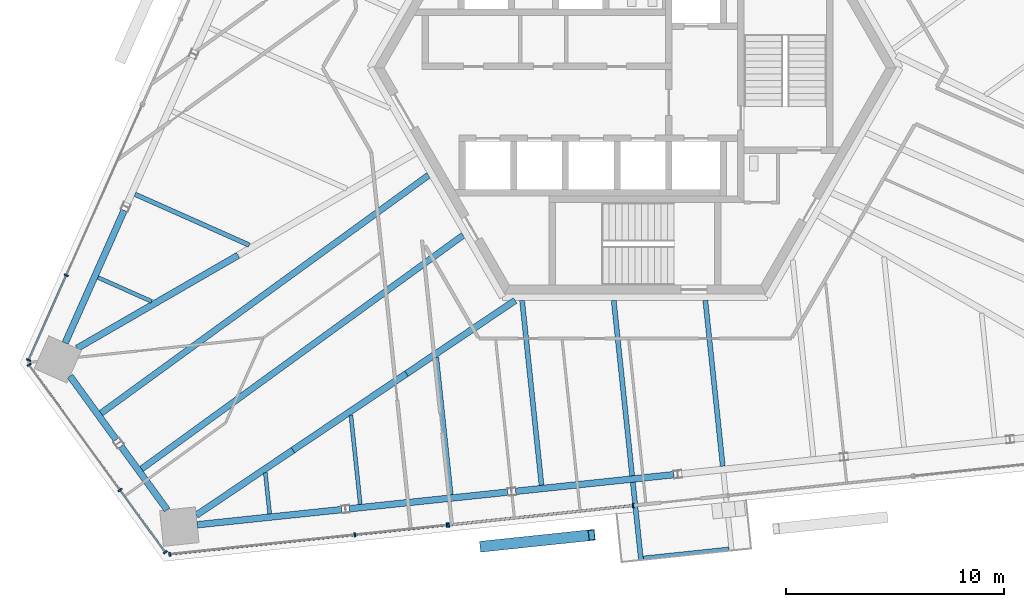
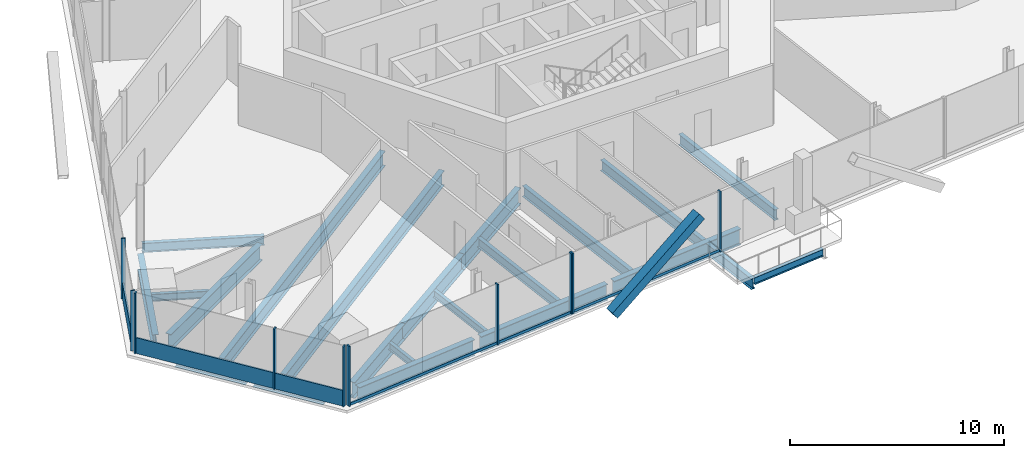
# One storey, part 4 of 18: 22 beams, 17 members, 4 elements without a shape of their own.
"""IFC4 building model written with IfcOpenShell, lengths in metres."""

from ifc_helpers import new_model, si_unit, direction, frame, origin, origin_2d, place, context, subcontext, project, spatial, rectangle, hollow_rectangle, i_section, extrude, source, transform, mapped, material, material_profile, profile_set, type_object, element, aggregate, save


model = new_model("IFC4")

# Units and contexts
model_context = context("Model", 3, precision=1e-05, world=origin(), true_north=direction((0.0, 1.0)))
body_context = subcontext(model_context, "Body", "Model", "MODEL_VIEW")
ifc_project = project(units=[si_unit("LENGTHUNIT", "METRE"), si_unit("AREAUNIT", "SQUARE_METRE"), si_unit("VOLUMEUNIT", "CUBIC_METRE"), si_unit("PLANEANGLEUNIT", "RADIAN"), si_unit("MASSUNIT", "GRAM", prefix="KILO")], contexts=[model_context])

# Site, building, storey
site_placement = place(None, origin())
site = spatial("IfcSite", under=ifc_project, at=site_placement, CompositionType="ELEMENT")
building_placement = place(site_placement, origin())
building = spatial("IfcBuilding", under=site, at=building_placement, Name="Triune Harvest Tower", CompositionType="ELEMENT")
storey_placement = place(building_placement, frame((0.0, 0.0, 230.5)))
storey = spatial("IfcBuildingStorey", under=building, at=storey_placement, Name="L60", CompositionType="ELEMENT", Elevation=230.5)

# Beams
ifc_material_1 = material(Name="Steel ASTM A992 Gr 50", Category="steel")
ifc_material_profile_1 = material_profile(ifc_material_1, i_section(OverallWidth=0.3046875, OverallDepth=0.914306640625, WebThickness=0.0166015625, FlangeThickness=0.02587890625, at=origin_2d()), Name="W36x160")
ifc_profile_set_1 = profile_set([ifc_material_profile_1], Name="Steel ASTM A992 Gr 50")
beam_type_1 = type_object("IfcBeamType", Name="HG-3 Hip girder W36x160", PredefinedType="BEAM", material=ifc_profile_set_1)
shared_shape_1 = source(origin(), body_context, "Body", "SweptSolid", [
    extrude(i_section(OverallWidth=0.3046875, OverallDepth=0.914306640625, WebThickness=0.0166015625, FlangeThickness=0.02587890625, at=origin_2d()), origin(), (0.0, 0.0, 1.0), 6.293701171875),
])
beam_1_placement = place(storey_placement, frame((-15.72802734375, -17.576904296875, -0.6171875), z_axis=(0.829391075311, 0.558668456416, 0.0), x_axis=(-0.558668456416, 0.829391075311, 0.0)))
element("IfcBeam", 1, at=beam_1_placement, inside=storey, type_object=beam_type_1, Name="beam/L60/HG8", PredefinedType="BEAM", context=body_context, shape_type="MappedRepresentation", body=[
    mapped(shared_shape_1, transform((0.0, 0.0, 0.0), scale=1.0)),
])
shared_shape_2 = source(origin(), body_context, "Body", "SweptSolid", [
    extrude(i_section(OverallWidth=0.3046875, OverallDepth=0.914306640625, WebThickness=0.0166015625, FlangeThickness=0.02587890625, at=origin_2d()), origin(), (0.0, 0.0, 1.0), 6.02099609375),
])
beam_2_placement = place(storey_placement, frame((-10.508056640625, -14.060791015625, -0.6171875), z_axis=(0.829383245618, 0.558680080088, 0.0), x_axis=(-0.558680080088, 0.829383245618, 0.0)))
element("IfcBeam", 2, at=beam_2_placement, inside=storey, type_object=beam_type_1, Name="beam/L60/HG9", PredefinedType="BEAM", context=body_context, shape_type="MappedRepresentation", body=[
    mapped(shared_shape_2, transform((0.0, 0.0, 0.0), scale=1.0)),
])
ifc_material_2 = material(Name="Steel ASTM A992 Gr 50", Category="steel")
ifc_material_profile_2 = material_profile(ifc_material_2, i_section(OverallWidth=0.3046875, OverallDepth=0.914306640625, WebThickness=0.0166015625, FlangeThickness=0.02587890625, at=origin_2d()), Name="W36x160")
ifc_profile_set_2 = profile_set([ifc_material_profile_2], Name="Steel ASTM A992 Gr 50")
beam_type_2 = type_object("IfcBeamType", Name="SB-1 Spandrel beam W36x160", PredefinedType="SPANDREL", material=ifc_profile_set_2)
shared_shape_3 = source(origin(), body_context, "Body", "SweptSolid", [
    extrude(i_section(OverallWidth=0.3046875, OverallDepth=0.914306640625, WebThickness=0.0166015625, FlangeThickness=0.02587890625, at=origin_2d()), origin(), (0.0, 0.0, 1.0), 6.67041015625),
])
beam_3_placement = place(storey_placement, frame((-20.127685546875, -21.007080078125, -0.6171875), z_axis=(0.994521485501, 0.104532362822, 0.0), x_axis=(-0.104532362822, 0.994521485501, 0.0)))
element("IfcBeam", 3, at=beam_3_placement, inside=storey, type_object=beam_type_2, Name="beam/L60/SB17", PredefinedType="SPANDREL", context=body_context, shape_type="MappedRepresentation", body=[
    mapped(shared_shape_3, transform((0.0, 0.0, 0.0), scale=1.0)),
])
shared_shape_4 = source(origin(), body_context, "Body", "SweptSolid", [
    extrude(i_section(OverallWidth=0.3046875, OverallDepth=0.914306640625, WebThickness=0.0166015625, FlangeThickness=0.02587890625, at=origin_2d()), origin(), (0.0, 0.0, 1.0), 7.31103515625),
])
beam_4_placement = place(storey_placement, frame((-13.127685546875, -20.271240234375, -0.6171875), z_axis=(0.994522639393, 0.104521384101, 0.0), x_axis=(-0.104521384101, 0.994522639393, 0.0)))
element("IfcBeam", 4, at=beam_4_placement, inside=storey, type_object=beam_type_2, Name="beam/L60/SB18", PredefinedType="SPANDREL", context=body_context, shape_type="MappedRepresentation", body=[
    mapped(shared_shape_4, transform((0.0, 0.0, 0.0), scale=1.0)),
])
shared_shape_5 = source(origin(), body_context, "Body", "SweptSolid", [
    extrude(i_section(OverallWidth=0.3046875, OverallDepth=0.914306640625, WebThickness=0.0166015625, FlangeThickness=0.02587890625, at=origin_2d()), origin(), (0.0, 0.0, 1.0), 3.614990234375),
])
for number, where, z_axis, x_axis, name in (
    (5, (-25.974365234375, -14.175537109375, -0.6171875), (0.587818273033, -0.808993002373, 0.0), (0.808993002373, 0.587818273033, 0.0), "beam/L60/SB15"),
    (6, (-23.633056640625, -17.39794921875, -0.6171875), (0.587818273033, -0.808993002373, 0.0), (0.808993002373, 0.587818273033, 0.0), "beam/L60/SB16"),
):
    element("IfcBeam", number, at=place(storey_placement, frame(where, z_axis=z_axis, x_axis=x_axis)), inside=storey, type_object=beam_type_2, Name=name, PredefinedType="SPANDREL", context=body_context, shape_type="MappedRepresentation", body=[
        mapped(shared_shape_5, transform((0.0, 0.0, 0.0), scale=1.0)),
    ])
shared_shape_6 = source(origin(), body_context, "Body", "SweptSolid", [
    extrude(i_section(OverallWidth=0.3046875, OverallDepth=0.914306640625, WebThickness=0.0166015625, FlangeThickness=0.02587890625, at=origin_2d()), origin(), (0.0, 0.0, 1.0), 6.670166015625),
])
beam_5_placement = place(storey_placement, frame((-23.485595703125, -6.5576171875, -0.6171875), z_axis=(-0.406722507275, -0.913551751176, 0.0), x_axis=(0.913551751176, -0.406722507275, 0.0)))
element("IfcBeam", 7, at=beam_5_placement, inside=storey, type_object=beam_type_2, Name="beam/L60/SB14", PredefinedType="SPANDREL", context=body_context, shape_type="MappedRepresentation", body=[
    mapped(shared_shape_6, transform((0.0, 0.0, 0.0), scale=1.0)),
])
shared_shape_7 = source(origin(), body_context, "Body", "SweptSolid", [
    extrude(i_section(OverallWidth=0.3046875, OverallDepth=0.914306640625, WebThickness=0.0166015625, FlangeThickness=0.02587890625, at=origin_2d()), origin(), (0.0, 0.0, 1.0), 7.311279296875),
])
beam_6_placement = place(storey_placement, frame((-5.490478515625, -19.468505859375, -0.6171875), z_axis=(0.994519532674, 0.104550940362, 0.0), x_axis=(-0.104550940362, 0.994519532674, 0.0)))
element("IfcBeam", 8, at=beam_6_placement, inside=storey, type_object=beam_type_2, Name="beam/L60/SB19", PredefinedType="SPANDREL", context=body_context, shape_type="MappedRepresentation", body=[
    mapped(shared_shape_7, transform((0.0, 0.0, 0.0), scale=1.0)),
])
shared_shape_8 = source(origin(), body_context, "Body", "SweptSolid", [
    extrude(i_section(OverallWidth=0.3046875, OverallDepth=0.914306640625, WebThickness=0.0166015625, FlangeThickness=0.02587890625, at=origin_2d()), origin(), (0.0, 0.0, 1.0), 8.548583984375),
])
beam_7_placement = place(storey_placement, frame((-25.651123046875, -12.89501953125, -0.6171875), z_axis=(0.866020080793, 0.500009219579, 0.0), x_axis=(-0.500009219579, 0.866020080793, 0.0)))
element("IfcBeam", 9, at=beam_7_placement, inside=storey, type_object=beam_type_1, Name="beam/L60/HG5", PredefinedType="BEAM", context=body_context, shape_type="MappedRepresentation", body=[
    mapped(shared_shape_8, transform((0.0, 0.0, 0.0), scale=1.0)),
])
shared_shape_9 = source(origin(), body_context, "Body", "SweptSolid", [
    extrude(i_section(OverallWidth=0.3046875, OverallDepth=0.914306640625, WebThickness=0.0166015625, FlangeThickness=0.02587890625, at=origin_2d()), origin(), (0.0, 0.0, 1.0), 5.35986328125),
])
beam_8_placement = place(storey_placement, frame((-20.173583984375, -20.5712890625, -0.6171875), z_axis=(0.829399024376, 0.558656655169, 0.0), x_axis=(-0.558656655169, 0.829399024376, 0.0)))
element("IfcBeam", 10, at=beam_8_placement, inside=storey, type_object=beam_type_1, Name="beam/L60/HG7", PredefinedType="BEAM", context=body_context, shape_type="MappedRepresentation", body=[
    mapped(shared_shape_9, transform((0.0, 0.0, 0.0), scale=1.0)),
])
ifc_material_3 = material(Name="Steel ASTM A992 Gr 50", Category="steel")
ifc_material_profile_3 = material_profile(ifc_material_3, i_section(OverallWidth=0.2099609375, OverallDepth=0.535888671875, WebThickness=0.010986328125, FlangeThickness=0.017333984375, at=origin_2d()), Name="W21x68")
ifc_profile_set_3 = profile_set([ifc_material_profile_3], Name="Steel ASTM A992 Gr 50")
beam_type_3 = type_object("IfcBeamType", Name="JT-2 Floor joist W21x68", PredefinedType="JOIST", material=ifc_profile_set_3)
shared_shape_10 = source(origin(), body_context, "Body", "SweptSolid", [
    extrude(i_section(OverallWidth=0.2099609375, OverallDepth=0.535888671875, WebThickness=0.010986328125, FlangeThickness=0.017333984375, at=origin_2d()), origin(), (0.0, 0.0, 1.0), 6.346435546875),
])
beam_9_placement = place(storey_placement, frame((-8.466552734375, -19.628173828125, -0.427978515625), z_axis=(-0.104518578592, 0.99452293424, 0.0), x_axis=(-0.99452293424, -0.104518578592, 0.0)))
element("IfcBeam", 11, at=beam_9_placement, inside=storey, type_object=beam_type_3, Name="beam/L60/JT27", PredefinedType="JOIST", context=body_context, shape_type="MappedRepresentation", body=[
    mapped(shared_shape_10, transform((0.0, 0.0, 0.0), scale=1.0)),
])
ifc_material_4 = material(Name="Steel ASTM A992 Gr 50", Category="steel")
ifc_material_profile_4 = material_profile(ifc_material_4, i_section(OverallWidth=0.22900390625, OverallDepth=0.612060546875, WebThickness=0.011962890625, FlangeThickness=0.01953125, at=origin_2d()), Name="W24x84")
ifc_profile_set_4 = profile_set([ifc_material_profile_4], Name="Steel ASTM A992 Gr 50")
beam_type_4 = type_object("IfcBeamType", Name="JT-3 Floor joist W24x84", PredefinedType="JOIST", material=ifc_profile_set_4)
shared_shape_11 = source(origin(), body_context, "Body", "SweptSolid", [
    extrude(i_section(OverallWidth=0.22900390625, OverallDepth=0.612060546875, WebThickness=0.011962890625, FlangeThickness=0.01953125, at=origin_2d()), origin(), (0.0, 0.0, 1.0), 8.099609375),
])
beam_10_placement = place(storey_placement, frame((-0.135009765625, -18.752197265625, -0.466064453125), z_axis=(-0.104534153452, 0.994521297289, 0.0), x_axis=(-0.994521297289, -0.104534153452, 0.0)))
element("IfcBeam", 12, at=beam_10_placement, inside=storey, type_object=beam_type_4, Name="beam/L60/JT29", PredefinedType="JOIST", context=body_context, shape_type="MappedRepresentation", body=[
    mapped(shared_shape_11, transform((0.0, 0.0, 0.0), scale=1.0)),
])
shared_shape_12 = source(origin(), body_context, "Body", "SweptSolid", [
    extrude(i_section(OverallWidth=0.22900390625, OverallDepth=0.612060546875, WebThickness=0.011962890625, FlangeThickness=0.01953125, at=origin_2d()), origin(), (0.0, 0.0, 1.0), 7.659423828125),
])
beam_11_placement = place(storey_placement, frame((4.031005859375, -18.314453125, -0.466064453125), z_axis=(-0.104548726976, 0.994519765358, 0.0), x_axis=(-0.994519765358, -0.104548726976, 0.0)))
element("IfcBeam", 13, at=beam_11_placement, inside=storey, type_object=beam_type_4, Name="beam/L60/JT30", PredefinedType="JOIST", context=body_context, shape_type="MappedRepresentation", body=[
    mapped(shared_shape_12, transform((0.0, 0.0, 0.0), scale=1.0)),
])
shared_shape_13 = source(origin(), body_context, "Body", "SweptSolid", [
    extrude(i_section(OverallWidth=0.2099609375, OverallDepth=0.535888671875, WebThickness=0.010986328125, FlangeThickness=0.017333984375, at=origin_2d()), origin(), (0.0, 0.0, 1.0), 5.745849609375),
])
beam_12_placement = place(storey_placement, frame((-22.987548828125, -5.8134765625, -0.427978515625), z_axis=(0.913552037091, -0.406721865071, 0.0), x_axis=(0.406721865071, 0.913552037091, 0.0)))
element("IfcBeam", 14, at=beam_12_placement, inside=storey, type_object=beam_type_3, Name="beam/L60/JT21", PredefinedType="JOIST", context=body_context, shape_type="MappedRepresentation", body=[
    mapped(shared_shape_13, transform((0.0, 0.0, 0.0), scale=1.0)),
])
ifc_material_5 = material(Name="Steel ASTM A992 Gr 50", Category="steel")
ifc_material_profile_5 = material_profile(ifc_material_5, i_section(OverallWidth=0.2919921875, OverallDepth=0.8408203125, WebThickness=0.0146484375, FlangeThickness=0.021728515625, at=origin_2d()), Name="W33x130")
ifc_profile_set_5 = profile_set([ifc_material_profile_5], Name="Steel ASTM A992 Gr 50")
beam_type_5 = type_object("IfcBeamType", Name="JT-6 Floor joist W33x130", PredefinedType="JOIST", material=ifc_profile_set_5)
shared_shape_14 = source(origin(), body_context, "Body", "SweptSolid", [
    extrude(i_section(OverallWidth=0.2919921875, OverallDepth=0.8408203125, WebThickness=0.0146484375, FlangeThickness=0.021728515625, at=origin_2d()), origin(), (0.0, 0.0, 1.0), 18.27099609375),
])
beam_13_placement = place(storey_placement, frame((-22.68701171875, -18.44091796875, -0.580322265625), z_axis=(0.809013927609, 0.587789473311, 0.0), x_axis=(-0.587789473311, 0.809013927609, 0.0)))
element("IfcBeam", 15, at=beam_13_placement, inside=storey, type_object=beam_type_5, Name="beam/L60/JT24", PredefinedType="JOIST", context=body_context, shape_type="MappedRepresentation", body=[
    mapped(shared_shape_14, transform((0.0, 0.0, 0.0), scale=1.0)),
])
ifc_material_6 = material(Name="Steel ASTM A992 Gr 50", Category="steel")
ifc_material_profile_6 = material_profile(ifc_material_6, i_section(OverallWidth=0.180908203125, OverallDepth=0.41650390625, WebThickness=0.010986328125, FlangeThickness=0.01806640625, at=origin_2d()), Name="W16x57")
ifc_profile_set_6 = profile_set([ifc_material_profile_6], Name="Steel ASTM A992 Gr 50")
beam_type_6 = type_object("IfcBeamType", Name="JT-1 Floor joist W16x57", PredefinedType="JOIST", material=ifc_profile_set_6)
shared_shape_15 = source(origin(), body_context, "Body", "SweptSolid", [
    extrude(i_section(OverallWidth=0.180908203125, OverallDepth=0.41650390625, WebThickness=0.010986328125, FlangeThickness=0.01806640625, at=origin_2d()), origin(), (0.0, 0.0, 1.0), 1.899169921875),
])
beam_14_placement = place(storey_placement, frame((-16.79833984375, -20.50390625, -0.368408203125), z_axis=(-0.104517481806, 0.994523049505, 0.0), x_axis=(-0.994523049505, -0.104517481806, 0.0)))
element("IfcBeam", 16, at=beam_14_placement, inside=storey, type_object=beam_type_6, Name="beam/L60/JT25", PredefinedType="JOIST", context=body_context, shape_type="MappedRepresentation", body=[
    mapped(shared_shape_15, transform((0.0, 0.0, 0.0), scale=1.0)),
])
shared_shape_16 = source(origin(), body_context, "Body", "SweptSolid", [
    extrude(i_section(OverallWidth=0.180908203125, OverallDepth=0.41650390625, WebThickness=0.010986328125, FlangeThickness=0.01806640625, at=origin_2d()), origin(), (0.0, 0.0, 1.0), 4.12255859375),
])
beam_15_placement = place(storey_placement, frame((-12.632568359375, -20.06591796875, -0.368408203125), z_axis=(-0.104521403768, 0.994522637326, 0.0), x_axis=(-0.994522637326, -0.104521403768, 0.0)))
element("IfcBeam", 17, at=beam_15_placement, inside=storey, type_object=beam_type_6, Name="beam/L60/JT26", PredefinedType="JOIST", context=body_context, shape_type="MappedRepresentation", body=[
    mapped(shared_shape_16, transform((0.0, 0.0, 0.0), scale=1.0)),
])
shared_shape_17 = source(origin(), body_context, "Body", "SweptSolid", [
    extrude(i_section(OverallWidth=0.180908203125, OverallDepth=0.41650390625, WebThickness=0.010986328125, FlangeThickness=0.01806640625, at=origin_2d()), origin(), (0.0, 0.0, 1.0), 2.702392578125),
])
beam_16_placement = place(storey_placement, frame((-24.691162109375, -9.64013671875, -0.368408203125), z_axis=(0.913550575703, -0.406725147529, 0.0), x_axis=(0.406725147529, 0.913550575703, 0.0)))
element("IfcBeam", 18, at=beam_16_placement, inside=storey, type_object=beam_type_6, Name="beam/L60/JT22", PredefinedType="JOIST", context=body_context, shape_type="MappedRepresentation", body=[
    mapped(shared_shape_17, transform((0.0, 0.0, 0.0), scale=1.0)),
])
shared_shape_18 = source(origin(), body_context, "Body", "SweptSolid", [
    extrude(i_section(OverallWidth=0.2919921875, OverallDepth=0.8408203125, WebThickness=0.0146484375, FlangeThickness=0.021728515625, at=origin_2d()), origin(), (0.0, 0.0, 1.0), 18.603515625),
])
beam_17_placement = place(storey_placement, frame((-24.548828125, -15.8779296875, -0.580322265625), z_axis=(0.809011797406, 0.58779240524, 0.0), x_axis=(-0.58779240524, 0.809011797406, 0.0)))
element("IfcBeam", 19, at=beam_17_placement, inside=storey, type_object=beam_type_5, Name="beam/L60/JT23", PredefinedType="JOIST", context=body_context, shape_type="MappedRepresentation", body=[
    mapped(shared_shape_18, transform((0.0, 0.0, 0.0), scale=1.0)),
])
shared_shape_19 = source(origin(), body_context, "Body", "SweptSolid", [
    extrude(i_section(OverallWidth=0.22900390625, OverallDepth=0.612060546875, WebThickness=0.011962890625, FlangeThickness=0.01953125, at=origin_2d()), origin(), (0.0, 0.0, 1.0), 8.5400390625),
])
beam_18_placement = place(storey_placement, frame((-4.30078125, -19.190185546875, -0.466064453125), z_axis=(-0.104546386162, 0.994520011433, 0.0), x_axis=(-0.994520011433, -0.104546386162, 0.0)))
element("IfcBeam", 20, at=beam_18_placement, inside=storey, type_object=beam_type_4, Name="beam/L60/JT28", PredefinedType="JOIST", context=body_context, shape_type="MappedRepresentation", body=[
    mapped(shared_shape_19, transform((0.0, 0.0, 0.0), scale=1.0)),
])

# Member
ifc_material_7 = material(Name="Steel ASTM A572 Gr 50", Category="steel")
ifc_material_profile_7 = material_profile(ifc_material_7, hollow_rectangle(XDim=0.5, YDim=0.5, WallThickness=0.030029296875, at=origin_2d()), Name="Box 500x500x30")
ifc_profile_set_7 = profile_set([ifc_material_profile_7], Name="Steel ASTM A572 Gr 50")
member_type_1 = type_object("IfcMemberType", Name="BR-3 Brace Box 500x500x30", PredefinedType="BRACE", material=ifc_profile_set_7)
shared_shape_20 = source(origin(), body_context, "Body", "SweptSolid", [
    extrude(hollow_rectangle(XDim=0.5, YDim=0.5, WallThickness=0.030029296875, at=origin_2d()), origin(), (0.0, 0.0, 1.0), 6.1708984375),
])
member_1_placement = place(storey_placement, frame((-6.979736328125, -22.003662109375, 0.0), z_axis=(0.807731140993, 0.084903557434, 0.583405339199), x_axis=(-0.104537710696, 0.994520923381, 0.0)))
element("IfcMember", 21, at=member_1_placement, inside=storey, type_object=member_type_1, Name="brace/B6-F5/d1/4", PredefinedType="BRACE", context=body_context, shape_type="MappedRepresentation", body=[
    mapped(shared_shape_20, transform((0.0, 0.0, 0.0), scale=1.0)),
])

# Curtain wall, members
ifc_material_8 = material(Name="Aluminium bronze anodised", Category="aluminium")
curtain_wall_type_1 = type_object("IfcCurtainWallType", Name="CW-1 Tower stick curtain wall", PredefinedType="NOTDEFINED", material=ifc_material_8)
curtain_wall_1_placement = place(storey_placement, origin())
curtain_wall_1 = element("IfcCurtainWall", 22, at=curtain_wall_1_placement, inside=storey, type_object=curtain_wall_type_1, Name="CW-1 B6-F3 L60 run 2001")
ifc_material_9 = material(Name="Aluminium bronze anodised", Category="aluminium")
ifc_material_profile_8 = material_profile(ifc_material_9, rectangle(XDim=0.199951171875, YDim=0.074951171875, at=origin_2d()), Name="MU-1 mullion 75 x 200")
ifc_profile_set_8 = profile_set([ifc_material_profile_8], Name="Aluminium bronze anodised")
member_type_2 = type_object("IfcMemberType", Name="MU-1 mullion 75 x 200", PredefinedType="MULLION", material=ifc_profile_set_8)
shared_shape_21 = source(origin(), body_context, "Body", "SweptSolid", [
    extrude(rectangle(XDim=0.199951171875, YDim=0.074951171875, at=origin_2d()), origin(), (0.0, 0.0, 1.0), 3.43994140625),
])
member_2_placement = place(storey_placement, frame((-26.14453125, -9.541015625, 0.0), z_axis=(0.0, 0.0, 1.0), x_axis=(0.913546291384, -0.406734770456, 0.0)))
member_2 = element("IfcMember", 23, at=member_2_placement, type_object=member_type_2, Name="CW-1 mullion B6-F3 2001.3", PredefinedType="MULLION", context=body_context, shape_type="MappedRepresentation", body=[
    mapped(shared_shape_21, transform((0.0, 0.0, 0.0), scale=1.0)),
])
member_3_placement = place(storey_placement, frame((-27.878173828125, -13.43505859375, 0.0), z_axis=(0.0, 0.0, 1.0), x_axis=(0.913546291384, -0.406734770456, 0.0)))
member_3 = element("IfcMember", 24, at=member_3_placement, type_object=member_type_2, Name="CW-1 mullion B6-F3 2001.4", PredefinedType="MULLION", context=body_context, shape_type="MappedRepresentation", body=[
    mapped(shared_shape_21, transform((0.0, 0.0, 0.0), scale=1.0)),
])

curtain_wall_2_placement = place(storey_placement, origin())
curtain_wall_2 = element("IfcCurtainWall", 25, at=curtain_wall_2_placement, inside=storey, type_object=curtain_wall_type_1, Name="CW-1 B6-F4 L60 run 1")
member_4_placement = place(storey_placement, frame((-27.855224609375, -13.654541015625, 0.0), z_axis=(0.0, 0.0, 1.0), x_axis=(0.809014317982, 0.587788936013, 0.0)))
member_4 = element("IfcMember", 26, at=member_4_placement, type_object=member_type_2, Name="CW-1 mullion B6-F4 1.1", PredefinedType="MULLION", context=body_context, shape_type="MappedRepresentation", body=[
    mapped(shared_shape_21, transform((0.0, 0.0, 0.0), scale=1.0)),
])
member_5_placement = place(storey_placement, frame((-23.673828125, -19.409912109375, 0.0), z_axis=(0.0, 0.0, 1.0), x_axis=(0.809014317982, 0.587788936013, 0.0)))
member_5 = element("IfcMember", 27, at=member_5_placement, type_object=member_type_2, Name="CW-1 mullion B6-F4 1.3", PredefinedType="MULLION", context=body_context, shape_type="MappedRepresentation", body=[
    mapped(shared_shape_21, transform((0.0, 0.0, 0.0), scale=1.0)),
])
member_6_placement = place(storey_placement, frame((-21.593994140625, -22.272216796875, 0.0), z_axis=(0.0, 0.0, 1.0), x_axis=(0.809014317982, 0.587788936013, 0.0)))
member_6 = element("IfcMember", 28, at=member_6_placement, type_object=member_type_2, Name="CW-1 mullion B6-F4 1.4", PredefinedType="MULLION", context=body_context, shape_type="MappedRepresentation", body=[
    mapped(shared_shape_21, transform((0.0, 0.0, 0.0), scale=1.0)),
])

ifc_material_10 = material(Name="Aluminium bronze anodised", Category="aluminium")
curtain_wall_type_2 = type_object("IfcCurtainWallType", Name="CW-6 Balcony window wall", PredefinedType="NOTDEFINED", material=ifc_material_10)
curtain_wall_3_placement = place(storey_placement, origin())
curtain_wall_3 = element("IfcCurtainWall", 29, at=curtain_wall_3_placement, inside=storey, type_object=curtain_wall_type_2, Name="CW-6 B6-F5 L60 run 1")
ifc_material_11 = material(Name="Aluminium bronze anodised", Category="aluminium")
ifc_material_profile_9 = material_profile(ifc_material_11, rectangle(XDim=0.199951171875, YDim=0.074951171875, at=origin_2d()), Name="MU-6 mullion 75 x 200")
ifc_profile_set_9 = profile_set([ifc_material_profile_9], Name="Aluminium bronze anodised")
member_type_3 = type_object("IfcMemberType", Name="MU-6 mullion 75 x 200", PredefinedType="MULLION", material=ifc_profile_set_9)
shared_shape_22 = source(origin(), body_context, "Body", "SweptSolid", [
    extrude(rectangle(XDim=0.199951171875, YDim=0.074951171875, at=origin_2d()), origin(), (0.0, 0.0, 1.0), 3.43994140625),
])
member_7_placement = place(storey_placement, frame((-21.392333984375, -22.362060546875, 0.0), z_axis=(0.0, 0.0, 1.0), x_axis=(-0.104527219, 0.994522026145, 0.0)))
member_7 = element("IfcMember", 30, at=member_7_placement, type_object=member_type_3, Name="CW-6 mullion B6-F5 1.1", PredefinedType="MULLION", context=body_context, shape_type="MappedRepresentation", body=[
    mapped(shared_shape_22, transform((0.0, 0.0, 0.0), scale=1.0)),
])
member_8_placement = place(storey_placement, frame((-12.8798828125, -21.46728515625, 0.0), z_axis=(0.0, 0.0, 1.0), x_axis=(-0.104527219, 0.994522026145, 0.0)))
member_8 = element("IfcMember", 31, at=member_8_placement, type_object=member_type_3, Name="CW-6 mullion B6-F5 1.3", PredefinedType="MULLION", context=body_context, shape_type="MappedRepresentation", body=[
    mapped(shared_shape_22, transform((0.0, 0.0, 0.0), scale=1.0)),
])
member_9_placement = place(storey_placement, frame((-8.642333984375, -21.02197265625, 0.0), z_axis=(0.0, 0.0, 1.0), x_axis=(-0.104527219, 0.994522026145, 0.0)))
member_9 = element("IfcMember", 32, at=member_9_placement, type_object=member_type_3, Name="CW-6 mullion B6-F5 1.4", PredefinedType="MULLION", context=body_context, shape_type="MappedRepresentation", body=[
    mapped(shared_shape_22, transform((0.0, 0.0, 0.0), scale=1.0)),
])

ifc_material_12 = material(Name="Aluminium bronze anodised", Category="aluminium")
curtain_wall_type_3 = type_object("IfcCurtainWallType", Name="CW-10 Balcony window wall with insulated spandrel infill", PredefinedType="NOTDEFINED", material=ifc_material_12)
curtain_wall_4_placement = place(storey_placement, origin())
curtain_wall_4 = element("IfcCurtainWall", 33, at=curtain_wall_4_placement, inside=storey, type_object=curtain_wall_type_3, Name="CW-10 B6-F5 L60 run 1001")
member_10_placement = place(storey_placement, frame((-8.56787109375, -21.01416015625, 0.0), z_axis=(0.0, 0.0, 1.0), x_axis=(-0.104533844946, 0.994521329716, 0.0)))
member_10 = element("IfcMember", 34, at=member_10_placement, type_object=member_type_3, Name="CW-10 mullion B6-F5 1001.1", PredefinedType="MULLION", context=body_context, shape_type="MappedRepresentation", body=[
    mapped(shared_shape_22, transform((0.0, 0.0, 0.0), scale=1.0)),
])
member_11_placement = place(storey_placement, frame((-0.0927734375, -20.123291015625, 0.0), z_axis=(0.0, 0.0, 1.0), x_axis=(-0.104533844946, 0.994521329716, 0.0)))
member_11 = element("IfcMember", 35, at=member_11_placement, type_object=member_type_3, Name="CW-10 mullion B6-F5 1001.3", PredefinedType="MULLION", context=body_context, shape_type="MappedRepresentation", body=[
    mapped(shared_shape_22, transform((0.0, 0.0, 0.0), scale=1.0)),
])

# Beam
ifc_material_13 = material(Name="Steel ASTM A992 Gr 50", Category="steel")
ifc_material_profile_10 = material_profile(ifc_material_13, i_section(OverallWidth=0.22900390625, OverallDepth=0.612060546875, WebThickness=0.011962890625, FlangeThickness=0.01953125, at=origin_2d()), Name="W24x84")
ifc_profile_set_10 = profile_set([ifc_material_profile_10], Name="Steel ASTM A992 Gr 50")
beam_type_7 = type_object("IfcBeamType", Name="BJ-3 Balcony cantilever joist W24x84", PredefinedType="JOIST", material=ifc_profile_set_10)
shared_shape_23 = source(origin(), body_context, "Body", "SweptSolid", [
    extrude(i_section(OverallWidth=0.22900390625, OverallDepth=0.612060546875, WebThickness=0.011962890625, FlangeThickness=0.01953125, at=origin_2d()), origin(), (0.0, 0.0, 1.0), 3.59765625),
])
beam_19_placement = place(storey_placement, frame((-0.10302734375, -19.055419921875, -0.466064453125), z_axis=(0.104508154604, -0.994524029685, 0.0), x_axis=(0.994524029685, 0.104508154604, 0.0)))
element("IfcBeam", 36, at=beam_19_placement, inside=storey, type_object=beam_type_7, Name="Balcony cantilever joist B6-F5 L60.6b", PredefinedType="JOIST", context=body_context, shape_type="MappedRepresentation", body=[
    mapped(shared_shape_23, transform((0.0, 0.0, 0.0), scale=1.0)),
])

# Member
ifc_material_14 = material(Name="Aluminium bronze anodised", Category="aluminium")
ifc_material_profile_11 = material_profile(ifc_material_14, rectangle(XDim=0.090087890625, YDim=0.89990234375, at=origin_2d()), Name="TR-1 transom 90 x 900")
ifc_profile_set_11 = profile_set([ifc_material_profile_11], Name="Aluminium bronze anodised")
member_type_4 = type_object("IfcMemberType", Name="TR-1 transom 90 x 900", PredefinedType="USERDEFINED", material=ifc_profile_set_11)
shared_shape_24 = source(origin(), body_context, "Body", "SweptSolid", [
    extrude(rectangle(XDim=0.090087890625, YDim=0.89990234375, at=origin_2d()), origin(), (0.0, 0.0, 1.0), 7.03857421875),
])
member_12_placement = place(storey_placement, frame((-27.8330078125, -13.68505859375, 0.449951171875), z_axis=(0.587788023707, -0.809014980817, 0.0), x_axis=(0.809014980817, 0.587788023707, 0.0)))
member_12 = element("IfcMember", 37, at=member_12_placement, type_object=member_type_4, Name="CW-1 transom B6-F4 1.1", ObjectType="TRANSOM", PredefinedType="USERDEFINED", context=body_context, shape_type="MappedRepresentation", body=[
    mapped(shared_shape_24, transform((0.0, 0.0, 0.0), scale=1.0)),
])

shared_shape_25 = source(origin(), body_context, "Body", "SweptSolid", [
    extrude(rectangle(XDim=0.090087890625, YDim=0.89990234375, at=origin_2d()), origin(), (0.0, 0.0, 1.0), 3.463134765625),
])
member_13_placement = place(storey_placement, frame((-23.651611328125, -19.440185546875, 0.449951171875), z_axis=(0.58779438563, -0.809010358538, 0.0), x_axis=(0.809010358538, 0.58779438563, 0.0)))
member_13 = element("IfcMember", 38, at=member_13_placement, type_object=member_type_4, Name="CW-1 transom B6-F4 1.2", ObjectType="TRANSOM", PredefinedType="USERDEFINED", context=body_context, shape_type="MappedRepresentation", body=[
    mapped(shared_shape_25, transform((0.0, 0.0, 0.0), scale=1.0)),
])

aggregate(curtain_wall_2, [member_4, member_5, member_6, member_12, member_13])

# Beam
ifc_material_15 = material(Name="Steel ASTM A992 Gr 50", Category="steel")
ifc_material_profile_12 = material_profile(ifc_material_15, i_section(OverallWidth=0.180908203125, OverallDepth=0.41650390625, WebThickness=0.010986328125, FlangeThickness=0.01806640625, at=origin_2d()), Name="W16x57")
ifc_profile_set_12 = profile_set([ifc_material_profile_12], Name="Steel ASTM A992 Gr 50")
beam_type_8 = type_object("IfcBeamType", Name="BE-1 balcony edge beam W16x57", PredefinedType="BEAM", material=ifc_profile_set_12)
shared_shape_26 = source(origin(), body_context, "Body", "SweptSolid", [
    extrude(i_section(OverallWidth=0.180908203125, OverallDepth=0.41650390625, WebThickness=0.010986328125, FlangeThickness=0.01806640625, at=origin_2d()), origin(), (0.0, 0.0, 1.0), 3.959716796875),
])
beam_20_placement = place(storey_placement, frame((0.37744140625, -22.531494140625, -0.368408203125), z_axis=(0.994517608566, 0.104569241421, 0.0), x_axis=(-0.104569241421, 0.994517608566, 0.0)))
element("IfcBeam", 39, at=beam_20_placement, inside=storey, type_object=beam_type_8, Name="Balcony edge beam B6-F5 L60.6", PredefinedType="BEAM", context=body_context, shape_type="MappedRepresentation", body=[
    mapped(shared_shape_26, transform((0.0, 0.0, 0.0), scale=1.0)),
])

# Member
ifc_material_16 = material(Name="Aluminium bronze anodised", Category="aluminium")
ifc_material_profile_13 = material_profile(ifc_material_16, rectangle(XDim=0.090087890625, YDim=0.14990234375, at=origin_2d()), Name="TR-6 transom 90 x 150")
ifc_profile_set_13 = profile_set([ifc_material_profile_13], Name="Aluminium bronze anodised")
member_type_5 = type_object("IfcMemberType", Name="TR-6 transom 90 x 150", PredefinedType="USERDEFINED", material=ifc_profile_set_13)
shared_shape_27 = source(origin(), body_context, "Body", "SweptSolid", [
    extrude(rectangle(XDim=0.090087890625, YDim=0.14990234375, at=origin_2d()), origin(), (0.0, 0.0, 1.0), 8.44677734375),
])
member_14_placement = place(storey_placement, frame((-8.530517578125, -21.01025390625, 0.074951171875), z_axis=(0.994520172111, 0.104544857665, 0.0), x_axis=(-0.104544857665, 0.994520172111, 0.0)))
member_14 = element("IfcMember", 40, at=member_14_placement, type_object=member_type_5, Name="CW-10 transom B6-F5 1001.1", ObjectType="TRANSOM", PredefinedType="USERDEFINED", context=body_context, shape_type="MappedRepresentation", body=[
    mapped(shared_shape_27, transform((0.0, 0.0, 0.0), scale=1.0)),
])

aggregate(curtain_wall_4, [member_10, member_11, member_14])

shared_shape_28 = source(origin(), body_context, "Body", "SweptSolid", [
    extrude(rectangle(XDim=0.090087890625, YDim=0.14990234375, at=origin_2d()), origin(), (0.0, 0.0, 1.0), 4.185791015625),
])
member_15_placement = place(storey_placement, frame((-12.842529296875, -21.46337890625, 0.074951171875), z_axis=(0.994522697616, 0.104520830105, 0.0), x_axis=(-0.104520830105, 0.994522697616, 0.0)))
member_15 = element("IfcMember", 41, at=member_15_placement, type_object=member_type_5, Name="CW-6 transom B6-F5 1.2", ObjectType="TRANSOM", PredefinedType="USERDEFINED", context=body_context, shape_type="MappedRepresentation", body=[
    mapped(shared_shape_28, transform((0.0, 0.0, 0.0), scale=1.0)),
])

shared_shape_29 = source(origin(), body_context, "Body", "SweptSolid", [
    extrude(rectangle(XDim=0.090087890625, YDim=0.89990234375, at=origin_2d()), origin(), (0.0, 0.0, 1.0), 4.187744140625),
])
member_16_placement = place(storey_placement, frame((-26.15966796875, -9.5751953125, 0.449951171875), z_axis=(-0.406749609391, -0.913539684557, 0.0), x_axis=(0.913539684557, -0.406749609391, 0.0)))
member_16 = element("IfcMember", 42, at=member_16_placement, type_object=member_type_4, Name="CW-1 transom B6-F3 2001.2", ObjectType="TRANSOM", PredefinedType="USERDEFINED", context=body_context, shape_type="MappedRepresentation", body=[
    mapped(shared_shape_29, transform((0.0, 0.0, 0.0), scale=1.0)),
])

aggregate(curtain_wall_1, [member_2, member_3, member_16])

shared_shape_30 = source(origin(), body_context, "Body", "SweptSolid", [
    extrude(rectangle(XDim=0.090087890625, YDim=0.14990234375, at=origin_2d()), origin(), (0.0, 0.0, 1.0), 8.484130859375),
])
member_17_placement = place(storey_placement, frame((-21.35498046875, -22.358154296875, 0.074951171875), z_axis=(0.994523413335, 0.104514019769, 0.0), x_axis=(-0.104514019769, 0.994523413335, 0.0)))
member_17 = element("IfcMember", 43, at=member_17_placement, type_object=member_type_5, Name="CW-6 transom B6-F5 1.1", ObjectType="TRANSOM", PredefinedType="USERDEFINED", context=body_context, shape_type="MappedRepresentation", body=[
    mapped(shared_shape_30, transform((0.0, 0.0, 0.0), scale=1.0)),
])

aggregate(curtain_wall_3, [member_7, member_8, member_9, member_17, member_15])

save(model, "model.ifc")
